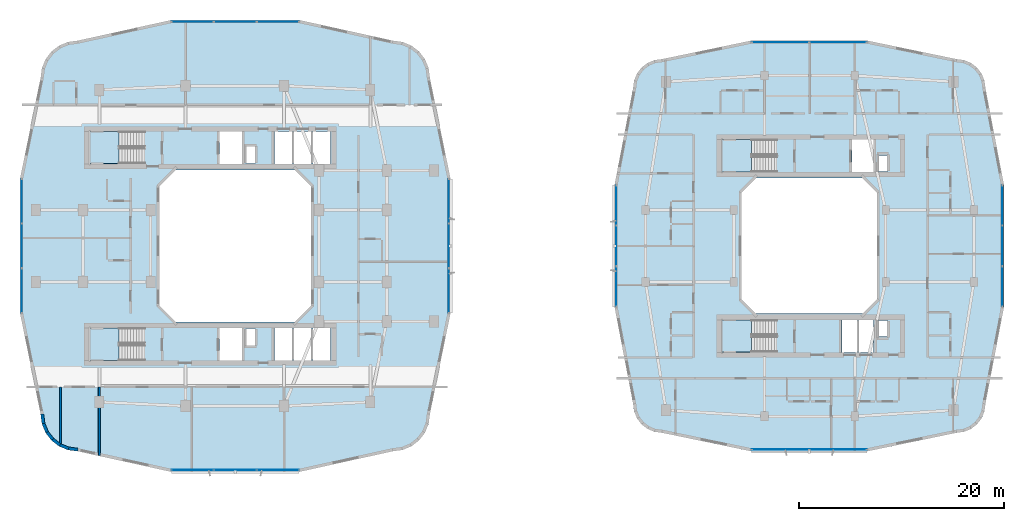
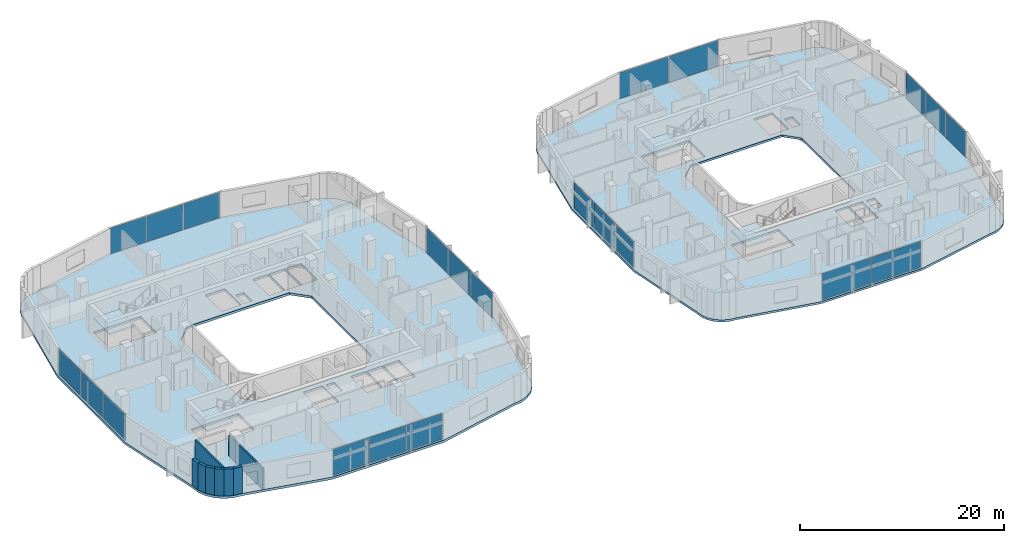
# One storey, part 12 of 26: 22 plates, 8 walls, 6 slabs, 12 elements without a shape of their own.
"""IFC4 building model written with IfcOpenShell, lengths in metres."""

from ifc_helpers import new_model, si_unit, derived_unit, direction, frame, frame_2d, origin, origin_2d, place, context, subcontext, project, spatial, polyline, rectangle, outline, extrude, material, layer, layer_set, type_object, element, aggregate, save


model = new_model("IFC4")

# Units and contexts
model_context = context("Model", 3, precision=1e-05, world=origin(), true_north=direction((0.0, 1.0)))
body_context = subcontext(model_context, "Body", "Model", "MODEL_VIEW")
ifc_project = project(units=[si_unit("LENGTHUNIT", "METRE"), si_unit("AREAUNIT", "SQUARE_METRE"), si_unit("VOLUMEUNIT", "CUBIC_METRE"), si_unit("PLANEANGLEUNIT", "RADIAN"), si_unit("MASSUNIT", "GRAM", prefix="KILO"), derived_unit("THERMALTRANSMITTANCEUNIT", [(si_unit("POWERUNIT", "WATT"), 1), (si_unit("LENGTHUNIT", "METRE"), -2), (si_unit("THERMODYNAMICTEMPERATUREUNIT", "KELVIN"), -1)])], contexts=[model_context])

# Site, building, storey
site_placement = place(None, origin())
site = spatial("IfcSite", under=ifc_project, at=site_placement, CompositionType="ELEMENT")
building_placement = place(site_placement, origin())
building = spatial("IfcBuilding", under=site, at=building_placement, Name="Kivonza Crest Hotel", CompositionType="ELEMENT")
storey_placement = place(building_placement, frame((0.0, 0.0, 62.5)))
storey = spatial("IfcBuildingStorey", under=building, at=storey_placement, Name="L16", CompositionType="ELEMENT", Elevation=62.5)

# Curtain wall, plates
ifc_material_1 = material(Name="Anodised bronze aluminium and low-E double glazing", Category="aluminium")
ifc_layer_1 = layer(ifc_material_1, 0.179931640625)
ifc_layer_set_1 = layer_set([ifc_layer_1], Name="Anodised bronze aluminium and low-E double glazing")
curtain_wall_type_1 = type_object("IfcCurtainWallType", Name="CW-SYS-2", PredefinedType="NOTDEFINED", material=ifc_layer_set_1)
curtain_wall_1_placement = place(storey_placement, origin())
curtain_wall_1 = element("IfcCurtainWall", 1, at=curtain_wall_1_placement, inside=storey, type_object=curtain_wall_type_1, Name="L16 unitised curtain wall CW-T1-L16-08", PredefinedType="NOTDEFINED")
ifc_material_2 = material(Name="Solar-control low-E double glazing", Category="glass")
ifc_layer_2 = layer(ifc_material_2, 0.028076171875)
ifc_layer_set_2 = layer_set([ifc_layer_2], Name="Solar-control low-E double glazing")
plate_type = type_object("IfcPlateType", Name="CW-PNL-28", PredefinedType="CURTAIN_PANEL", material=ifc_layer_set_2)
plate_1_placement = place(storey_placement, frame((16.890869140625, 3.159912109375, 0.06494140625), z_axis=(0.0, 0.0, 1.0), x_axis=(1.0, 0.0, 0.0)))
plate_1 = element("IfcPlate", 2, at=plate_1_placement, type_object=plate_type, Name="CW-2 panel 1.1", PredefinedType="CURTAIN_PANEL", context=body_context, shape_type="SweptSolid", body=[
    extrude(rectangle(XDim=4.06787109375, YDim=0.028076171875, at=origin_2d()), origin(), (0.0, 0.0, 1.0), 3.090087890625),
])
plate_2_placement = place(storey_placement, frame((21.0400390625, 3.159912109375, 0.06494140625), z_axis=(0.0, 0.0, 1.0), x_axis=(1.0, 0.0, 0.0)))
plate_2 = element("IfcPlate", 3, at=plate_2_placement, type_object=plate_type, Name="CW-2 panel 2.1", PredefinedType="CURTAIN_PANEL", context=body_context, shape_type="SweptSolid", body=[
    extrude(rectangle(XDim=4.100341796875, YDim=0.028076171875, at=origin_2d()), origin(), (0.0, 0.0, 1.0), 3.090087890625),
])
plate_3_placement = place(storey_placement, frame((25.18896484375, 3.159912109375, 0.06494140625), z_axis=(0.0, 0.0, 1.0), x_axis=(1.0, 0.0, 0.0)))
plate_3 = element("IfcPlate", 4, at=plate_3_placement, type_object=plate_type, Name="CW-2 panel 3.1", PredefinedType="CURTAIN_PANEL", context=body_context, shape_type="SweptSolid", body=[
    extrude(rectangle(XDim=4.06787109375, YDim=0.028076171875, at=origin_2d()), origin(), (0.0, 0.0, 1.0), 3.090087890625),
])
aggregate(curtain_wall_1, [plate_1, plate_2, plate_3])

curtain_wall_2_placement = place(storey_placement, origin())
curtain_wall_2 = element("IfcCurtainWall", 5, at=curtain_wall_2_placement, inside=storey, type_object=curtain_wall_type_1, Name="L16 unitised curtain wall CW-T1-L16-17", PredefinedType="NOTDEFINED")
plate_4_placement = place(storey_placement, frame((41.840087890625, 20.642822265625, 0.06494140625), z_axis=(0.0, 0.0, 1.0), x_axis=(0.0, 1.0, 0.0)))
plate_4 = element("IfcPlate", 6, at=plate_4_placement, type_object=plate_type, Name="CW-2 panel 1.1", PredefinedType="CURTAIN_PANEL", context=body_context, shape_type="SweptSolid", body=[
    extrude(rectangle(XDim=4.27587890625, YDim=0.028076171875, at=origin_2d()), origin(), (0.0, 0.0, 1.0), 3.090087890625),
])
plate_5_placement = place(storey_placement, frame((41.840087890625, 25.0, 0.06494140625), z_axis=(0.0, 0.0, 1.0), x_axis=(0.0, 1.0, 0.0)))
plate_5 = element("IfcPlate", 7, at=plate_5_placement, type_object=plate_type, Name="CW-2 panel 2.1", PredefinedType="CURTAIN_PANEL", context=body_context, shape_type="SweptSolid", body=[
    extrude(rectangle(XDim=4.308349609375, YDim=0.028076171875, at=origin_2d()), origin(), (0.0, 0.0, 1.0), 3.090087890625),
])
plate_6_placement = place(storey_placement, frame((41.840087890625, 29.357177734375, 0.06494140625), z_axis=(0.0, 0.0, 1.0), x_axis=(0.0, 1.0, 0.0)))
plate_6 = element("IfcPlate", 8, at=plate_6_placement, type_object=plate_type, Name="CW-2 panel 3.1", PredefinedType="CURTAIN_PANEL", context=body_context, shape_type="SweptSolid", body=[
    extrude(rectangle(XDim=4.27587890625, YDim=0.028076171875, at=origin_2d()), origin(), (0.0, 0.0, 1.0), 3.090087890625),
])
aggregate(curtain_wall_2, [plate_4, plate_5, plate_6])

curtain_wall_3_placement = place(storey_placement, origin())
curtain_wall_3 = element("IfcCurtainWall", 9, at=curtain_wall_3_placement, inside=storey, type_object=curtain_wall_type_1, Name="L16 unitised curtain wall CW-T1-L16-26", PredefinedType="NOTDEFINED")
plate_7_placement = place(storey_placement, frame((25.18896484375, 46.840087890625, 0.06494140625), z_axis=(0.0, 0.0, 1.0), x_axis=(-1.0, 0.0, 0.0)))
plate_7 = element("IfcPlate", 10, at=plate_7_placement, type_object=plate_type, Name="CW-2 panel 1.1", PredefinedType="CURTAIN_PANEL", context=body_context, shape_type="SweptSolid", body=[
    extrude(rectangle(XDim=4.06787109375, YDim=0.028076171875, at=origin_2d()), origin(), (0.0, 0.0, 1.0), 3.090087890625),
])
plate_8_placement = place(storey_placement, frame((21.0400390625, 46.840087890625, 0.06494140625), z_axis=(0.0, 0.0, 1.0), x_axis=(-1.0, 0.0, 0.0)))
plate_8 = element("IfcPlate", 11, at=plate_8_placement, type_object=plate_type, Name="CW-2 panel 2.1", PredefinedType="CURTAIN_PANEL", context=body_context, shape_type="SweptSolid", body=[
    extrude(rectangle(XDim=4.100341796875, YDim=0.028076171875, at=origin_2d()), origin(), (0.0, 0.0, 1.0), 3.090087890625),
])
plate_9_placement = place(storey_placement, frame((16.890869140625, 46.840087890625, 0.06494140625), z_axis=(0.0, 0.0, 1.0), x_axis=(-1.0, 0.0, 0.0)))
plate_9 = element("IfcPlate", 12, at=plate_9_placement, type_object=plate_type, Name="CW-2 panel 3.1", PredefinedType="CURTAIN_PANEL", context=body_context, shape_type="SweptSolid", body=[
    extrude(rectangle(XDim=4.06787109375, YDim=0.028076171875, at=origin_2d()), origin(), (0.0, 0.0, 1.0), 3.090087890625),
])
aggregate(curtain_wall_3, [plate_7, plate_8, plate_9])

curtain_wall_4_placement = place(storey_placement, origin())
curtain_wall_4 = element("IfcCurtainWall", 13, at=curtain_wall_4_placement, inside=storey, type_object=curtain_wall_type_1, Name="L16 unitised curtain wall CW-T1-L16-35", PredefinedType="NOTDEFINED")
plate_10_placement = place(storey_placement, frame((0.239990234375, 29.357177734375, 0.06494140625), z_axis=(0.0, 0.0, 1.0), x_axis=(0.0, -1.0, 0.0)))
plate_10 = element("IfcPlate", 14, at=plate_10_placement, type_object=plate_type, Name="CW-2 panel 1.1", PredefinedType="CURTAIN_PANEL", context=body_context, shape_type="SweptSolid", body=[
    extrude(rectangle(XDim=4.27587890625, YDim=0.028076171875, at=origin_2d()), origin(), (0.0, 0.0, 1.0), 3.090087890625),
])
plate_11_placement = place(storey_placement, frame((0.239990234375, 25.0, 0.06494140625), z_axis=(0.0, 0.0, 1.0), x_axis=(0.0, -1.0, 0.0)))
plate_11 = element("IfcPlate", 15, at=plate_11_placement, type_object=plate_type, Name="CW-2 panel 2.1", PredefinedType="CURTAIN_PANEL", context=body_context, shape_type="SweptSolid", body=[
    extrude(rectangle(XDim=4.308349609375, YDim=0.028076171875, at=origin_2d()), origin(), (0.0, 0.0, 1.0), 3.090087890625),
])
plate_12_placement = place(storey_placement, frame((0.239990234375, 20.642822265625, 0.06494140625), z_axis=(0.0, 0.0, 1.0), x_axis=(0.0, -1.0, 0.0)))
plate_12 = element("IfcPlate", 16, at=plate_12_placement, type_object=plate_type, Name="CW-2 panel 3.1", PredefinedType="CURTAIN_PANEL", context=body_context, shape_type="SweptSolid", body=[
    extrude(rectangle(XDim=4.27587890625, YDim=0.028076171875, at=origin_2d()), origin(), (0.0, 0.0, 1.0), 3.090087890625),
])
aggregate(curtain_wall_4, [plate_10, plate_11, plate_12])

ifc_layer_3 = layer(ifc_material_1, 0.179931640625)
ifc_layer_set_3 = layer_set([ifc_layer_3], Name="Anodised bronze aluminium and low-E double glazing")
curtain_wall_type_2 = type_object("IfcCurtainWallType", Name="CW-SYS-4", PredefinedType="NOTDEFINED", material=ifc_layer_set_3)
curtain_wall_5_placement = place(storey_placement, origin())
curtain_wall_5 = element("IfcCurtainWall", 17, at=curtain_wall_5_placement, inside=storey, type_object=curtain_wall_type_2, Name="L16 unitised curtain wall CW-T2-L16-08", PredefinedType="NOTDEFINED")
plate_13_placement = place(storey_placement, frame((74.15234375, 5.159912109375, 0.06494140625), z_axis=(0.0, 0.0, 1.0), x_axis=(1.0, 0.0, 0.0)))
plate_13 = element("IfcPlate", 18, at=plate_13_placement, type_object=plate_type, Name="CW-4 panel 1.1", PredefinedType="CURTAIN_PANEL", context=body_context, shape_type="SweptSolid", body=[
    extrude(rectangle(XDim=5.550537109375, YDim=0.028076171875, at=origin_2d()), origin(), (0.0, 0.0, 1.0), 3.1201171875),
])
plate_14_placement = place(storey_placement, frame((79.767822265625, 5.159912109375, 0.06494140625), z_axis=(0.0, 0.0, 1.0), x_axis=(1.0, 0.0, 0.0)))
plate_14 = element("IfcPlate", 19, at=plate_14_placement, type_object=plate_type, Name="CW-4 panel 2.1", PredefinedType="CURTAIN_PANEL", context=body_context, shape_type="SweptSolid", body=[
    extrude(rectangle(XDim=5.550537109375, YDim=0.028076171875, at=origin_2d()), origin(), (0.0, 0.0, 1.0), 3.1201171875),
])
aggregate(curtain_wall_5, [plate_13, plate_14])

curtain_wall_6_placement = place(storey_placement, origin())
curtain_wall_6 = element("IfcCurtainWall", 20, at=curtain_wall_6_placement, inside=storey, type_object=curtain_wall_type_2, Name="L16 unitised curtain wall CW-T2-L16-17", PredefinedType="NOTDEFINED")
plate_15_placement = place(storey_placement, frame((95.760009765625, 21.04296875, 0.06494140625), z_axis=(0.0, 0.0, 1.0), x_axis=(0.0, 1.0, 0.0)))
plate_15 = element("IfcPlate", 21, at=plate_15_placement, type_object=plate_type, Name="CW-4 panel 1.1", PredefinedType="CURTAIN_PANEL", context=body_context, shape_type="SweptSolid", body=[
    extrude(rectangle(XDim=3.875732421875, YDim=0.028076171875, at=origin_2d()), origin(), (0.0, 0.0, 1.0), 3.1201171875),
])
plate_16_placement = place(storey_placement, frame((95.760009765625, 25.0, 0.06494140625), z_axis=(0.0, 0.0, 1.0), x_axis=(0.0, 1.0, 0.0)))
plate_16 = element("IfcPlate", 22, at=plate_16_placement, type_object=plate_type, Name="CW-4 panel 2.1", PredefinedType="CURTAIN_PANEL", context=body_context, shape_type="SweptSolid", body=[
    extrude(rectangle(XDim=3.908447265625, YDim=0.028076171875, at=origin_2d()), origin(), (0.0, 0.0, 1.0), 3.1201171875),
])
plate_17_placement = place(storey_placement, frame((95.760009765625, 28.95703125, 0.06494140625), z_axis=(0.0, 0.0, 1.0), x_axis=(0.0, 1.0, 0.0)))
plate_17 = element("IfcPlate", 23, at=plate_17_placement, type_object=plate_type, Name="CW-4 panel 3.1", PredefinedType="CURTAIN_PANEL", context=body_context, shape_type="SweptSolid", body=[
    extrude(rectangle(XDim=3.875732421875, YDim=0.028076171875, at=origin_2d()), origin(), (0.0, 0.0, 1.0), 3.1201171875),
])
aggregate(curtain_wall_6, [plate_15, plate_16, plate_17])

curtain_wall_7_placement = place(storey_placement, origin())
curtain_wall_7 = element("IfcCurtainWall", 24, at=curtain_wall_7_placement, inside=storey, type_object=curtain_wall_type_2, Name="L16 unitised curtain wall CW-T2-L16-26", PredefinedType="NOTDEFINED")
plate_18_placement = place(storey_placement, frame((79.767822265625, 44.840087890625, 0.06494140625), z_axis=(0.0, 0.0, 1.0), x_axis=(-1.0, 0.0, 0.0)))
plate_18 = element("IfcPlate", 25, at=plate_18_placement, type_object=plate_type, Name="CW-4 panel 1.1", PredefinedType="CURTAIN_PANEL", context=body_context, shape_type="SweptSolid", body=[
    extrude(rectangle(XDim=5.550537109375, YDim=0.028076171875, at=origin_2d()), origin(), (0.0, 0.0, 1.0), 3.1201171875),
])
plate_19_placement = place(storey_placement, frame((74.15234375, 44.840087890625, 0.06494140625), z_axis=(0.0, 0.0, 1.0), x_axis=(-1.0, 0.0, 0.0)))
plate_19 = element("IfcPlate", 26, at=plate_19_placement, type_object=plate_type, Name="CW-4 panel 2.1", PredefinedType="CURTAIN_PANEL", context=body_context, shape_type="SweptSolid", body=[
    extrude(rectangle(XDim=5.550537109375, YDim=0.028076171875, at=origin_2d()), origin(), (0.0, 0.0, 1.0), 3.1201171875),
])
aggregate(curtain_wall_7, [plate_18, plate_19])

curtain_wall_8_placement = place(storey_placement, origin())
curtain_wall_8 = element("IfcCurtainWall", 27, at=curtain_wall_8_placement, inside=storey, type_object=curtain_wall_type_2, Name="L16 unitised curtain wall CW-T2-L16-35", PredefinedType="NOTDEFINED")
plate_20_placement = place(storey_placement, frame((58.159912109375, 28.95703125, 0.06494140625), z_axis=(0.0, 0.0, 1.0), x_axis=(0.0, -1.0, 0.0)))
plate_20 = element("IfcPlate", 28, at=plate_20_placement, type_object=plate_type, Name="CW-4 panel 1.1", PredefinedType="CURTAIN_PANEL", context=body_context, shape_type="SweptSolid", body=[
    extrude(rectangle(XDim=3.875732421875, YDim=0.028076171875, at=origin_2d()), origin(), (0.0, 0.0, 1.0), 3.1201171875),
])
plate_21_placement = place(storey_placement, frame((58.159912109375, 25.0, 0.06494140625), z_axis=(0.0, 0.0, 1.0), x_axis=(0.0, -1.0, 0.0)))
plate_21 = element("IfcPlate", 29, at=plate_21_placement, type_object=plate_type, Name="CW-4 panel 2.1", PredefinedType="CURTAIN_PANEL", context=body_context, shape_type="SweptSolid", body=[
    extrude(rectangle(XDim=3.908447265625, YDim=0.028076171875, at=origin_2d()), origin(), (0.0, 0.0, 1.0), 3.1201171875),
])
plate_22_placement = place(storey_placement, frame((58.159912109375, 21.04296875, 0.06494140625), z_axis=(0.0, 0.0, 1.0), x_axis=(0.0, -1.0, 0.0)))
plate_22 = element("IfcPlate", 30, at=plate_22_placement, type_object=plate_type, Name="CW-4 panel 3.1", PredefinedType="CURTAIN_PANEL", context=body_context, shape_type="SweptSolid", body=[
    extrude(rectangle(XDim=3.875732421875, YDim=0.028076171875, at=origin_2d()), origin(), (0.0, 0.0, 1.0), 3.1201171875),
])
aggregate(curtain_wall_8, [plate_20, plate_21, plate_22])

# Slab
ifc_material_3 = material(Name="Concrete C40/50", Category="concrete")
ifc_layer_4 = layer(ifc_material_3, 0.280029296875)
ifc_layer_set_4 = layer_set([ifc_layer_4], Name="Concrete C40/50")
slab_type_1 = type_object("IfcSlabType", Name="SL-HTL-280", PredefinedType="FLOOR", material=ifc_layer_set_4)
slab_1_placement = place(storey_placement, frame((0.0, 0.0, -0.280029296875)))
element("IfcSlab", 31, at=slab_1_placement, inside=storey, type_object=slab_type_1, Name="Tower T1 L16 floor slab", PredefinedType="FLOOR", context=body_context, shape_type="SweptSolid", body=[
    extrude(outline(polyline([(2.080078125, 8.60009765625), (2.202880859375, 7.66796875), (2.56201171875, 6.800048828125), (3.134033203125, 6.053955078125), (3.8798828125, 5.48193359375), (4.748046875, 5.123046875), (5.679931640625, 5.0), (14.751953125, 3.0), (27.327880859375, 3.0), (36.39990234375, 5.0), (37.33203125, 5.123046875), (38.199951171875, 5.48193359375), (38.946044921875, 6.053955078125), (39.51806640625, 6.800048828125), (39.876953125, 7.66796875), (40.0, 8.60009765625), (42.0, 18.39990234375), (42.0, 31.60009765625), (40.0, 41.39990234375), (39.876953125, 42.33203125), (39.51806640625, 43.199951171875), (38.946044921875, 43.946044921875), (38.199951171875, 44.51806640625), (37.33203125, 44.876953125), (36.39990234375, 45.0), (27.327880859375, 47.0), (14.751953125, 47.0), (5.679931640625, 45.0), (4.748046875, 44.876953125), (3.8798828125, 44.51806640625), (3.134033203125, 43.946044921875), (2.56201171875, 43.199951171875), (2.202880859375, 42.33203125), (2.080078125, 41.39990234375), (0.080078125, 31.60009765625), (0.080078125, 18.39990234375), (2.080078125, 8.60009765625)]), holes=[polyline([(15.239990234375, 17.60009765625), (26.840087890625, 17.60009765625), (28.43994140625, 19.199951171875), (28.43994140625, 30.800048828125), (26.840087890625, 32.39990234375), (15.239990234375, 32.39990234375), (13.639892578125, 30.800048828125), (13.639892578125, 19.199951171875), (15.239990234375, 17.60009765625)]), polyline([(6.800048828125, 33.02001953125), (12.159912109375, 33.02001953125), (12.159912109375, 36.159912109375), (6.800048828125, 36.159912109375), (6.800048828125, 33.02001953125)]), polyline([(6.800048828125, 13.860107421875), (12.159912109375, 13.860107421875), (12.159912109375, 17.0), (6.800048828125, 17.0), (6.800048828125, 13.860107421875)]), polyline([(22.080078125, 33.0400390625), (22.969970703125, 33.0400390625), (22.969970703125, 34.679931640625), (22.080078125, 34.679931640625), (22.080078125, 33.0400390625)]), polyline([(22.080078125, 15.320068359375), (22.969970703125, 15.320068359375), (22.969970703125, 16.9599609375), (22.080078125, 16.9599609375), (22.080078125, 15.320068359375)]), polyline([(19.5, 33.0), (21.699951171875, 33.0), (21.699951171875, 36.159912109375), (19.5, 36.159912109375), (19.5, 33.0)]), polyline([(24.860107421875, 33.0), (26.60693359375, 33.0), (26.60693359375, 36.159912109375), (24.860107421875, 36.159912109375), (24.860107421875, 33.0)]), polyline([(26.72705078125, 33.0), (28.472900390625, 33.0), (28.472900390625, 36.159912109375), (26.72705078125, 36.159912109375), (26.72705078125, 33.0)]), polyline([(28.593017578125, 33.0), (30.340087890625, 33.0), (30.340087890625, 36.159912109375), (28.593017578125, 36.159912109375), (28.593017578125, 33.0)]), polyline([(19.5, 13.840087890625), (21.699951171875, 13.840087890625), (21.699951171875, 17.0), (19.5, 17.0), (19.5, 13.840087890625)]), polyline([(24.860107421875, 13.840087890625), (26.60693359375, 13.840087890625), (26.60693359375, 17.0), (24.860107421875, 17.0), (24.860107421875, 13.840087890625)]), polyline([(26.72705078125, 13.840087890625), (28.472900390625, 13.840087890625), (28.472900390625, 17.0), (26.72705078125, 17.0), (26.72705078125, 13.840087890625)]), polyline([(28.593017578125, 13.840087890625), (30.340087890625, 13.840087890625), (30.340087890625, 17.0), (28.593017578125, 17.0), (28.593017578125, 13.840087890625)])]), origin(), (0.0, 0.0, 1.0), 0.280029296875),
])

# Stair, slab
stair_type = type_object("IfcStairType", Name="ST-DL-20R", PredefinedType="HALF_TURN_STAIR", material=ifc_material_3)
stair_1_placement = place(storey_placement, origin())
stair_1 = element("IfcStair", 32, at=stair_1_placement, inside=storey, type_object=stair_type, Name="L16 Protected Exit Stair ST-T1-N", PredefinedType="HALF_TURN_STAIR")
ifc_layer_5 = layer(ifc_material_3, 0.199951171875)
ifc_layer_set_5 = layer_set([ifc_layer_5], Name="Concrete C40/50")
slab_type_2 = type_object("IfcSlabType", Name="SL-LAND-200", PredefinedType="LANDING", material=ifc_layer_set_5)
slab_2_placement = place(storey_placement, frame((0.0, 0.0, 1.550048828125)))
slab_2 = element("IfcSlab", 33, at=slab_2_placement, type_object=slab_type_2, Name="ST-T1-N landing 1", PredefinedType="LANDING", context=body_context, shape_type="SweptSolid", body=[
    extrude(outline(polyline([(9.719970703125, 36.159912109375), (6.800048828125, 36.159912109375), (6.800048828125, 33.02001953125), (9.719970703125, 33.02001953125), (9.719970703125, 36.159912109375)])), origin(), (0.0, 0.0, 1.0), 0.199951171875),
])
aggregate(stair_1, [slab_2])

stair_2_placement = place(storey_placement, origin())
stair_2 = element("IfcStair", 34, at=stair_2_placement, inside=storey, type_object=stair_type, Name="L16 Protected Exit Stair ST-T1-S", PredefinedType="HALF_TURN_STAIR")
slab_3_placement = place(storey_placement, frame((0.0, 0.0, 1.550048828125)))
slab_3 = element("IfcSlab", 35, at=slab_3_placement, type_object=slab_type_2, Name="ST-T1-S landing 1", PredefinedType="LANDING", context=body_context, shape_type="SweptSolid", body=[
    extrude(outline(polyline([(9.719970703125, 17.0), (6.800048828125, 17.0), (6.800048828125, 13.860107421875), (9.719970703125, 13.860107421875), (9.719970703125, 17.0)])), origin(), (0.0, 0.0, 1.0), 0.199951171875),
])
aggregate(stair_2, [slab_3])

stair_3_placement = place(storey_placement, origin())
stair_3 = element("IfcStair", 36, at=stair_3_placement, inside=storey, type_object=stair_type, Name="L16 Protected Exit Stair ST-T2-N", PredefinedType="HALF_TURN_STAIR")
slab_4_placement = place(storey_placement, frame((0.0, 0.0, 1.550048828125)))
slab_4 = element("IfcSlab", 37, at=slab_4_placement, type_object=slab_type_2, Name="ST-T2-N landing 1", PredefinedType="LANDING", context=body_context, shape_type="SweptSolid", body=[
    extrude(outline(polyline([(71.320068359375, 35.360107421875), (68.39990234375, 35.360107421875), (68.39990234375, 32.219970703125), (71.320068359375, 32.219970703125), (71.320068359375, 35.360107421875)])), origin(), (0.0, 0.0, 1.0), 0.199951171875),
])
aggregate(stair_3, [slab_4])

stair_4_placement = place(storey_placement, origin())
stair_4 = element("IfcStair", 38, at=stair_4_placement, inside=storey, type_object=stair_type, Name="L16 Protected Exit Stair ST-T2-S", PredefinedType="HALF_TURN_STAIR")
slab_5_placement = place(storey_placement, frame((0.0, 0.0, 1.550048828125)))
slab_5 = element("IfcSlab", 39, at=slab_5_placement, type_object=slab_type_2, Name="ST-T2-S landing 1", PredefinedType="LANDING", context=body_context, shape_type="SweptSolid", body=[
    extrude(outline(polyline([(71.320068359375, 17.800048828125), (68.39990234375, 17.800048828125), (68.39990234375, 14.659912109375), (71.320068359375, 14.659912109375), (71.320068359375, 17.800048828125)])), origin(), (0.0, 0.0, 1.0), 0.199951171875),
])
aggregate(stair_4, [slab_5])

# Slab
ifc_layer_6 = layer(ifc_material_3, 0.25)
ifc_layer_set_6 = layer_set([ifc_layer_6], Name="Concrete C40/50")
slab_type_3 = type_object("IfcSlabType", Name="SL-RES-250", PredefinedType="FLOOR", material=ifc_layer_set_6)
slab_6_placement = place(storey_placement, frame((0.0, 0.0, -0.25)))
element("IfcSlab", 40, at=slab_6_placement, inside=storey, type_object=slab_type_3, Name="Companion Tower T2 L16 floor slab", PredefinedType="FLOOR", context=body_context, shape_type="SweptSolid", body=[
    extrude(outline(polyline([(59.800048828125, 9.60009765625), (59.89501953125, 8.875), (60.175048828125, 8.199951171875), (60.6201171875, 7.6201171875), (61.199951171875, 7.175048828125), (61.875, 6.89501953125), (62.60009765625, 6.800048828125), (71.27197265625, 5.0), (82.64794921875, 5.0), (91.320068359375, 6.800048828125), (92.044921875, 6.89501953125), (92.719970703125, 7.175048828125), (93.300048828125, 7.6201171875), (93.7451171875, 8.199951171875), (94.02490234375, 8.875), (94.1201171875, 9.60009765625), (95.919921875, 19.0), (95.919921875, 31.0), (94.1201171875, 40.39990234375), (94.02490234375, 41.125), (93.7451171875, 41.800048828125), (93.300048828125, 42.3798828125), (92.719970703125, 42.824951171875), (92.044921875, 43.10498046875), (91.320068359375, 43.199951171875), (82.64794921875, 45.0), (71.27197265625, 45.0), (62.60009765625, 43.199951171875), (61.875, 43.10498046875), (61.199951171875, 42.824951171875), (60.6201171875, 42.3798828125), (60.175048828125, 41.800048828125), (59.89501953125, 41.125), (59.800048828125, 40.39990234375), (58.0, 31.0), (58.0, 19.0), (59.800048828125, 9.60009765625)]), holes=[polyline([(71.760009765625, 18.39990234375), (82.159912109375, 18.39990234375), (83.56005859375, 19.800048828125), (83.56005859375, 30.199951171875), (82.159912109375, 31.60009765625), (71.760009765625, 31.60009765625), (70.360107421875, 30.199951171875), (70.360107421875, 19.800048828125), (71.760009765625, 18.39990234375)]), polyline([(68.39990234375, 32.219970703125), (73.760009765625, 32.219970703125), (73.760009765625, 35.360107421875), (68.39990234375, 35.360107421875), (68.39990234375, 32.219970703125)]), polyline([(68.39990234375, 14.659912109375), (73.760009765625, 14.659912109375), (73.760009765625, 17.800048828125), (68.39990234375, 17.800048828125), (68.39990234375, 14.659912109375)]), polyline([(83.679931640625, 32.239990234375), (84.570068359375, 32.239990234375), (84.570068359375, 33.820068359375), (83.679931640625, 33.820068359375), (83.679931640625, 32.239990234375)]), polyline([(83.679931640625, 16.179931640625), (84.570068359375, 16.179931640625), (84.570068359375, 17.760009765625), (83.679931640625, 17.760009765625), (83.679931640625, 16.179931640625)]), polyline([(81.10009765625, 32.199951171875), (83.199951171875, 32.199951171875), (83.199951171875, 35.360107421875), (81.10009765625, 35.360107421875), (81.10009765625, 32.199951171875)]), polyline([(80.159912109375, 14.639892578125), (81.639892578125, 14.639892578125), (81.639892578125, 17.800048828125), (80.159912109375, 17.800048828125), (80.159912109375, 14.639892578125)]), polyline([(81.760009765625, 14.639892578125), (83.239990234375, 14.639892578125), (83.239990234375, 17.800048828125), (81.760009765625, 17.800048828125), (81.760009765625, 14.639892578125)])]), origin(), (0.0, 0.0, 1.0), 0.25),
])

# Walls
ifc_material_4 = material(Name="High-density acoustic masonry inter-tenancy wall", Category="masonry")
ifc_layer_7 = layer(ifc_material_4, 0.179931640625)
ifc_layer_set_7 = layer_set([ifc_layer_7], Name="High-density acoustic masonry inter-tenancy wall")
wall_type_1 = type_object("IfcWallType", Name="WL-ACOU-180", PredefinedType="SOLIDWALL", material=ifc_layer_set_7)
wall_1_placement = place(storey_placement, frame((4.02001953125, 5.489013671875, 0.0), z_axis=(0.0, 0.0, 1.0), x_axis=(0.0, 1.0, 0.0)))
element("IfcWall", 41, at=wall_1_placement, inside=storey, type_object=wall_type_1, Name="L16 interior partition WA-L16-T1S-SPDIV0", PredefinedType="SOLIDWALL", context=body_context, shape_type="SweptSolid", body=[
    extrude(rectangle(XDim=5.760986328125, YDim=0.179931640625, at=frame_2d((2.88037109375, 0.0))), origin(), (0.0, 0.0, 1.0), 3.219970703125),
])
wall_2_placement = place(storey_placement, frame((7.800048828125, 4.593994140625, 0.0), z_axis=(0.0, 0.0, 1.0), x_axis=(0.0, 1.0, 0.0)))
element("IfcWall", 42, at=wall_2_placement, inside=storey, type_object=wall_type_1, Name="L16 interior partition WA-L16-T1S-DIV1", PredefinedType="SOLIDWALL", context=body_context, shape_type="SweptSolid", body=[
    extrude(rectangle(XDim=6.656005859375, YDim=0.179931640625, at=frame_2d((3.328125, 0.0))), origin(), (0.0, 0.0, 1.0), 2.4951171875),
])
ifc_material_5 = material(Name="Precast concrete C40/50", Category="concrete")
ifc_layer_8 = layer(ifc_material_5, 0.300048828125)
ifc_layer_set_8 = layer_set([ifc_layer_8], Name="Precast concrete C40/50")
wall_type_2 = type_object("IfcWallType", Name="WL-EXT-300", PredefinedType="STANDARD", material=ifc_layer_set_8)
wall_3_placement = place(storey_placement, frame((2.22802734375, 8.6279296875, 0.0), z_axis=(0.0, 0.0, 1.0), x_axis=(0.131174864804, -0.991359246108, 0.0)))
element("IfcWall", 43, at=wall_3_placement, inside=storey, type_object=wall_type_2, Name="L16 T1 exterior insulated wall 1", PredefinedType="STANDARD", context=body_context, shape_type="SweptSolid", body=[
    extrude(rectangle(XDim=0.93798828125, YDim=0.300048828125, at=frame_2d((0.468994140625, 0.0))), origin(), (0.0, 0.0, 1.0), 3.219970703125),
])
wall_4_placement = place(storey_placement, frame((2.33203125, 7.748046875, 0.0), z_axis=(0.0, 0.0, 1.0), x_axis=(0.382344263057, -0.924019948111, 0.0)))
element("IfcWall", 44, at=wall_4_placement, inside=storey, type_object=wall_type_2, Name="L16 T1 exterior insulated wall 2", PredefinedType="STANDARD", context=body_context, shape_type="SweptSolid", body=[
    extrude(rectangle(XDim=0.95458984375, YDim=0.300048828125, at=frame_2d((0.477294921875, 0.0))), origin(), (0.0, 0.0, 1.0), 3.219970703125),
])
for number, where, z_axis, x_axis, name in (
    (45, (2.666015625, 6.910888671875, 0.0), (0.0, 0.0, 1.0), (0.608474481025, -0.793573440799, 0.0), "L16 T1 exterior insulated wall 3"),
    (46, (3.205078125, 6.18798828125, 0.0), (0.0, 0.0, 1.0), (0.793573440799, -0.608474481025, 0.0), "L16 T1 exterior insulated wall 4"),
):
    element("IfcWall", number, at=place(storey_placement, frame(where, z_axis=z_axis, x_axis=x_axis)), inside=storey, type_object=wall_type_2, Name=name, PredefinedType="STANDARD", context=body_context, shape_type="SweptSolid", body=[
        extrude(rectangle(XDim=0.954833984375, YDim=0.300048828125, at=frame_2d((0.4775390625, 0.0))), origin(), (0.0, 0.0, 1.0), 3.219970703125),
    ])
wall_5_placement = place(storey_placement, frame((3.9140625, 5.631103515625, 0.0), z_axis=(0.0, 0.0, 1.0), x_axis=(0.923982547689, -0.382434636986, 0.0)))
element("IfcWall", 47, at=wall_5_placement, inside=storey, type_object=wall_type_2, Name="L16 T1 exterior insulated wall 5", PredefinedType="STANDARD", context=body_context, shape_type="SweptSolid", body=[
    extrude(rectangle(XDim=0.954345703125, YDim=0.300048828125, at=frame_2d((0.47705078125, 0.0))), origin(), (0.0, 0.0, 1.0), 3.219970703125),
])
wall_6_placement = place(storey_placement, frame((4.742919921875, 5.27490234375, 0.0), z_axis=(0.0, 0.0, 1.0), x_axis=(0.99145856342, -0.130422072598, 0.0)))
element("IfcWall", 48, at=wall_6_placement, inside=storey, type_object=wall_type_2, Name="L16 T1 exterior insulated wall 6", PredefinedType="STANDARD", context=body_context, shape_type="SweptSolid", body=[
    extrude(rectangle(XDim=0.973388671875, YDim=0.300048828125, at=frame_2d((0.48681640625, 0.0))), origin(), (0.0, 0.0, 1.0), 3.219970703125),
])

save(model, "model.ifc")
